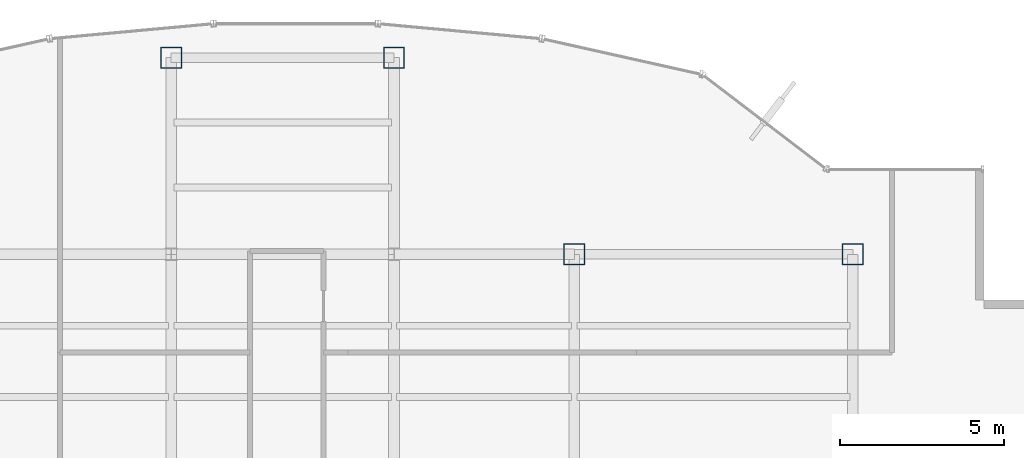
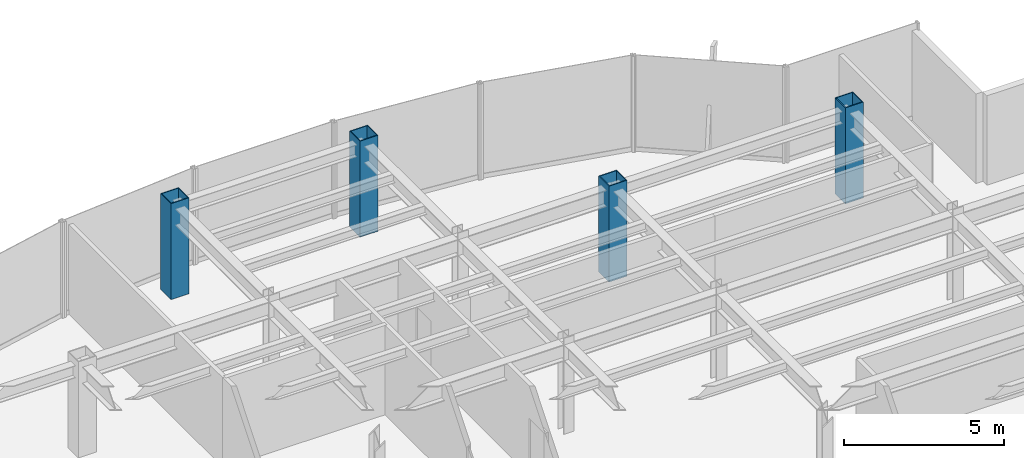
# One storey, part 2 of 25: 4 columns.
"""IFC4 building model written with IfcOpenShell, lengths in metres."""

from ifc_helpers import new_model, si_unit, derived_unit, direction, frame, origin, origin_2d, place, context, subcontext, project, spatial, hollow_rectangle, extrude, source, transform, mapped, material, material_profile, profile_set, type_object, element, save


model = new_model("IFC4")

# Units and contexts
model_context = context("Model", 3, precision=1e-05, world=origin(), true_north=direction((0.0, 1.0)))
body_context = subcontext(model_context, "Body", "Model", "MODEL_VIEW")
ifc_project = project(units=[si_unit("LENGTHUNIT", "METRE"), si_unit("AREAUNIT", "SQUARE_METRE"), si_unit("VOLUMEUNIT", "CUBIC_METRE"), si_unit("PLANEANGLEUNIT", "RADIAN"), si_unit("MASSUNIT", "GRAM", prefix="KILO"), derived_unit("THERMALTRANSMITTANCEUNIT", [(si_unit("POWERUNIT", "WATT"), 1), (si_unit("LENGTHUNIT", "METRE"), -2), (si_unit("THERMODYNAMICTEMPERATUREUNIT", "KELVIN"), -1)])], contexts=[model_context])

# Site, building, storey
site_placement = place(None, origin())
site = spatial("IfcSite", under=ifc_project, at=site_placement, CompositionType="ELEMENT")
building_placement = place(site_placement, origin())
building = spatial("IfcBuilding", under=site, at=building_placement, Name="Skarnbrae Concourse Arena and Tower", CompositionType="ELEMENT")
storey_placement = place(building_placement, frame((0.0, 0.0, 162.5)))
storey = spatial("IfcBuildingStorey", under=building, at=storey_placement, Name="L41", CompositionType="ELEMENT", Elevation=162.5)

# Columns
ifc_material = material(Name="Steel CSA G40.21 350W", Category="steel")
ifc_material_profile = material_profile(ifc_material, hollow_rectangle(XDim=0.64990234375, YDim=0.64990234375, WallThickness=0.031982421875, at=origin_2d()), Name="BOX650X650X32")
ifc_profile_set = profile_set([ifc_material_profile], Name="Steel CSA G40.21 350W")
column_type = type_object("IfcColumnType", Name="COL-TUBE-BOX650", PredefinedType="COLUMN", material=ifc_profile_set)
shared_shape = source(origin(), body_context, "Body", "SweptSolid", [
    extrude(hollow_rectangle(XDim=0.64990234375, YDim=0.64990234375, WallThickness=0.031982421875, at=origin_2d()), origin(), (0.0, 0.0, 1.0), 3.64990234375),
])
for number, where, z_axis, x_axis, name in (
    (1, (21.199951171875, 40.39990234375, 0.0), (0.0, 0.0, 1.0), (1.0, 0.0, 0.0), "L41 Tower column PC_04_06"),
    (2, (28.0, 40.39990234375, 0.0), (0.0, 0.0, 1.0), (1.0, 0.0, 0.0), "L41 Tower column PC_05_06"),
    (3, (33.5, 34.39990234375, 0.0), (0.0, 0.0, 1.0), (1.0, 0.0, 0.0), "L41 Tower column PC_06_05"),
    (4, (42.0, 34.39990234375, 0.0), (0.0, 0.0, 1.0), (1.0, 0.0, 0.0), "L41 Tower column PC_07_05"),
):
    element("IfcColumn", number, at=place(storey_placement, frame(where, z_axis=z_axis, x_axis=x_axis)), inside=storey, type_object=column_type, Name=name, PredefinedType="COLUMN", context=body_context, shape_type="MappedRepresentation", body=[
        mapped(shared_shape, transform((0.0, 0.0, 0.0))),
    ])

save(model, "model.ifc")
